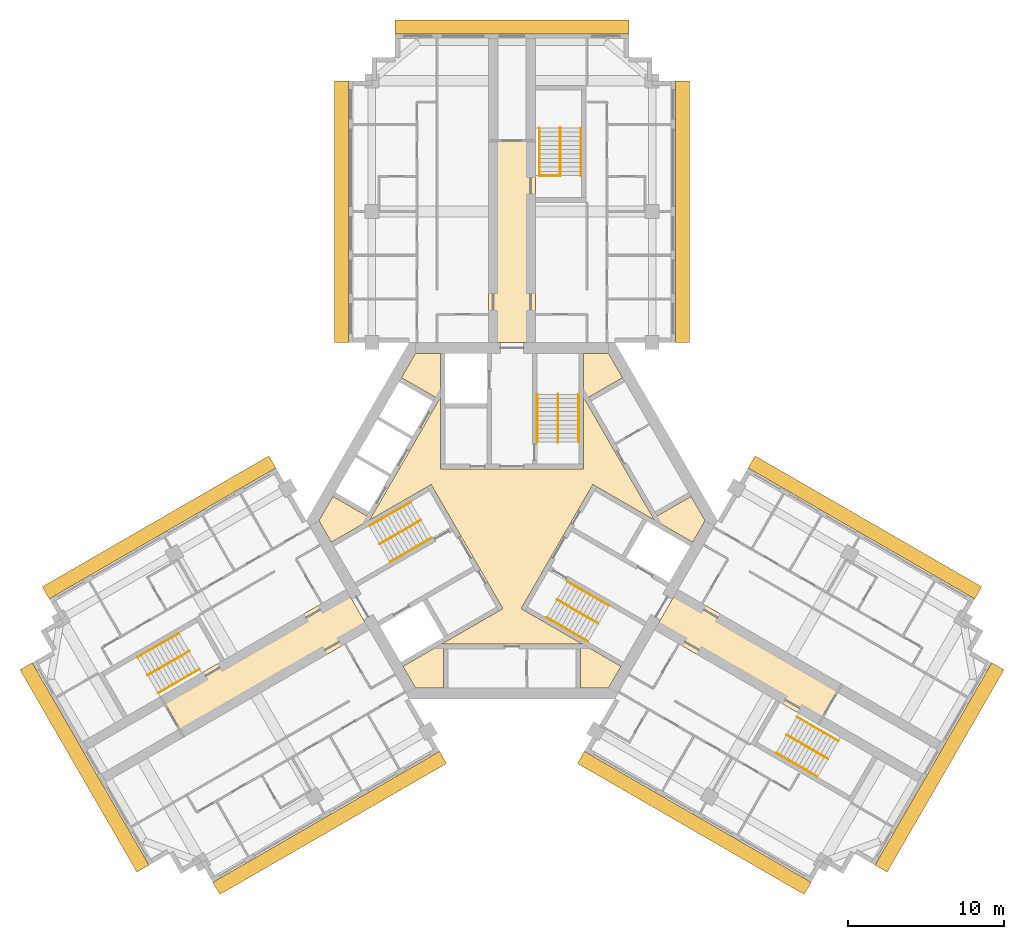
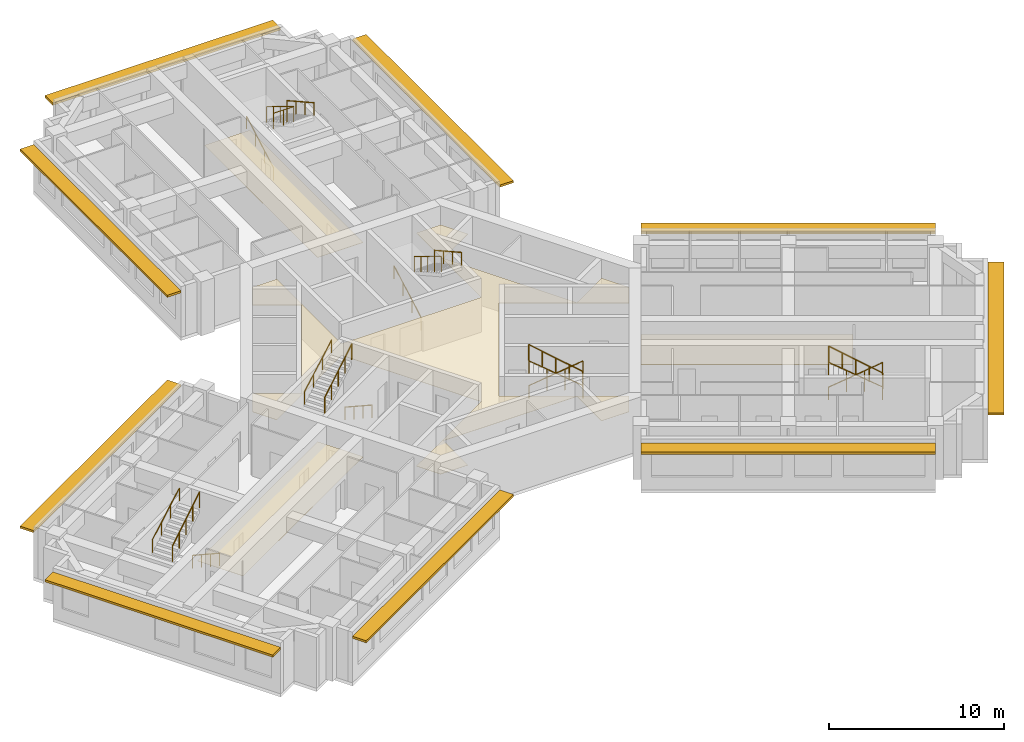
# One storey, part 10 of 10: 19 railings, 4 coverings, 3 shading devices.
"""IFC4 building model written with IfcOpenShell, lengths in metres."""

from ifc_helpers import new_model, si_unit, direction, frame, origin, origin_2d, place, context, subcontext, project, spatial, polyline, rectangle, circle, outline, extrude, material, layer, layer_set, type_object, element, save


model = new_model("IFC4")

# Units and contexts
model_context = context("Model", 3, precision=1e-05, world=origin(), true_north=direction((0.0, 1.0)))
body_context = subcontext(model_context, "Body", "Model", "MODEL_VIEW")
ifc_project = project(units=[si_unit("LENGTHUNIT", "METRE"), si_unit("AREAUNIT", "SQUARE_METRE"), si_unit("VOLUMEUNIT", "CUBIC_METRE"), si_unit("PLANEANGLEUNIT", "RADIAN"), si_unit("MASSUNIT", "GRAM", prefix="KILO")], contexts=[model_context])

# Site, building, storey
site_placement = place(None, origin())
site = spatial("IfcSite", under=ifc_project, at=site_placement, CompositionType="ELEMENT")
building_placement = place(site_placement, origin())
building = spatial("IfcBuilding", under=site, at=building_placement, Name="Impinga Residences", CompositionType="ELEMENT")
storey_placement = place(building_placement, frame((0.0, 0.0, 267.25)))
storey = spatial("IfcBuildingStorey", under=building, at=storey_placement, Name="L67", CompositionType="ELEMENT", Elevation=267.25)

# Coverings
ifc_material_1 = material(Name="Plasterboard 15 mm on steel hangers", Category="steel")
ifc_layer_1 = layer(ifc_material_1, 0.014892578125)
ifc_layer_set_1 = layer_set([ifc_layer_1], Name="Plasterboard 15 mm on steel hangers")
covering_type_1 = type_object("IfcCoveringType", Name="CL1 corridor ceiling, 15 mm plasterboard on hangers", PredefinedType="CEILING", material=ifc_layer_set_1)
covering_1_placement = place(storey_placement, frame((0.0, 0.0, 2.39990234375)))
element("IfcCovering", 1, at=covering_1_placement, inside=storey, type_object=covering_type_1, Name="Corridor ceiling CL1 L67-N00", PredefinedType="CEILING", context=body_context, shape_type="SweptSolid", body=[
    extrude(outline(polyline([(-1.5, 11.431640625), (1.5, 11.431640625), (1.5, 24.33154296875), (-1.5, 24.33154296875), (-1.5, 11.431640625)])), origin(), (0.0, 0.0, 1.0), 0.01513671875),
])
covering_2_placement = place(storey_placement, frame((0.0, 0.0, 2.39990234375)))
element("IfcCovering", 2, at=covering_2_placement, inside=storey, type_object=covering_type_1, Name="Corridor ceiling CL1 L67-W00", PredefinedType="CEILING", context=body_context, shape_type="SweptSolid", body=[
    extrude(outline(polyline([(-9.14990234375, -7.014892578125), (-10.64990234375, -4.416748046875), (-22.5146484375, -11.266845703125), (-21.0146484375, -13.86474609375), (-9.14990234375, -7.014892578125)])), origin(), (0.0, 0.0, 1.0), 0.01513671875),
])
covering_3_placement = place(storey_placement, frame((0.0, 0.0, 2.39990234375)))
element("IfcCovering", 3, at=covering_3_placement, inside=storey, type_object=covering_type_1, Name="Corridor ceiling CL1 L67-E00", PredefinedType="CEILING", context=body_context, shape_type="SweptSolid", body=[
    extrude(outline(polyline([(10.64990234375, -4.416748046875), (9.14990234375, -7.014892578125), (19.62890625, -13.064697265625), (21.12890625, -10.466796875), (10.64990234375, -4.416748046875)])), origin(), (0.0, 0.0, 1.0), 0.01513671875),
])
ifc_material_2 = material(Name="Mineral fibre tiles 20 mm on exposed grid", Category="mineral fibre")
ifc_layer_2 = layer(ifc_material_2, 0.02001953125)
ifc_layer_set_2 = layer_set([ifc_layer_2], Name="CL2 lift lobby ceiling, 20 mm mineral fibre tiles")
covering_type_2 = type_object("IfcCoveringType", Name="CL2 lift lobby ceiling, 20 mm mineral fibre tiles", PredefinedType="CEILING", material=ifc_layer_set_2)
covering_4_placement = place(storey_placement, frame((0.0, 0.0, 2.39990234375)))
element("IfcCovering", 4, at=covering_4_placement, inside=storey, type_object=covering_type_2, Name="Lift lobby ceiling CL2 L67-C01", PredefinedType="CEILING", context=body_context, shape_type="SweptSolid", body=[
    extrude(outline(polyline([(12.3916015625, 0.0), (11.59375, -1.382080078125), (5.183837890625, 2.318603515625), (0.583984375, -5.648681640625), (6.993896484375, -9.349365234375), (6.19580078125, -10.7314453125), (4.39990234375, -10.7314453125), (4.39990234375, -7.931640625), (-4.39990234375, -7.931640625), (-4.39990234375, -10.7314453125), (-6.19580078125, -10.7314453125), (-6.993896484375, -9.349365234375), (-0.583984375, -5.648681640625), (-5.183837890625, 2.318603515625), (-11.59375, -1.382080078125), (-12.3916015625, 0.0), (-11.493896484375, 1.55517578125), (-9.06884765625, 0.1552734375), (-4.6689453125, 7.7763671875), (-7.09375, 9.17626953125), (-6.19580078125, 10.7314453125), (-4.60009765625, 10.7314453125), (-4.60009765625, 3.330078125), (4.60009765625, 3.330078125), (4.60009765625, 10.7314453125), (6.19580078125, 10.7314453125), (7.09375, 9.17626953125), (4.6689453125, 7.7763671875), (9.06884765625, 0.1552734375), (11.493896484375, 1.55517578125), (12.3916015625, 0.0)])), origin(), (0.0, 0.0, 1.0), 0.02001953125),
])

# Railings
ifc_material_3 = material(Name="Steel guard, powder coated", Category="steel")
railing_type_1 = type_object("IfcRailingType", Name="GR1 stair guard 1100", PredefinedType="GUARDRAIL", material=ifc_material_3)
railing_1_placement = place(storey_placement, frame((2.949951171875, 8.110107421875, 1.875)))
element("IfcRailing", 5, at=railing_1_placement, inside=storey, type_object=railing_type_1, Name="Stair guard GR1 ST1 L67", PredefinedType="GUARDRAIL", context=body_context, shape_type="SweptSolid", body=[
    extrude(circle(Radius=0.02392578125, at=origin_2d()), frame((0.0, 0.0, 1.076171875), z_axis=(0.0, -0.854177636135, 0.519981313056), x_axis=(1.0, 0.0, 0.0)), (0.0, 0.0, 1.0), 3.60595703125),
    extrude(circle(Radius=0.02099609375, at=origin_2d()), origin(), (0.0, 0.0, 1.0), 1.052001953125),
    extrude(circle(Radius=0.02099609375, at=origin_2d()), frame((0.0, -0.77001953125, 0.46875)), (0.0, 0.0, 1.0), 1.052001953125),
    extrude(circle(Radius=0.02099609375, at=origin_2d()), frame((0.0, -1.5400390625, 0.9375)), (0.0, 0.0, 1.0), 1.052001953125),
    extrude(circle(Radius=0.02099609375, at=origin_2d()), frame((0.0, -2.31005859375, 1.40625)), (0.0, 0.0, 1.0), 1.052001953125),
    extrude(circle(Radius=0.02099609375, at=origin_2d()), frame((0.0, -3.080078125, 1.875)), (0.0, 0.0, 1.0), 1.052001953125),
])
railing_2_placement = place(storey_placement, frame((-8.49853515625, -1.500244140625, 1.875)))
element("IfcRailing", 6, at=railing_2_placement, inside=storey, type_object=railing_type_1, Name="Stair guard GR1 ST2 L67", PredefinedType="GUARDRAIL", context=body_context, shape_type="SweptSolid", body=[
    extrude(circle(Radius=0.02392578125, at=origin_2d()), frame((0.0, 0.0, 1.076171875), z_axis=(0.739746383972, 0.427084037168, 0.519975492303), x_axis=(-0.499992328818, 0.866029832698, 0.0)), (0.0, 0.0, 1.0), 3.60595703125),
    extrude(circle(Radius=0.02099609375, at=origin_2d()), origin(), (0.0, 0.0, 1.0), 1.052001953125),
    extrude(circle(Radius=0.02099609375, at=origin_2d()), frame((0.6669921875, 0.385009765625, 0.46875)), (0.0, 0.0, 1.0), 1.052001953125),
    extrude(circle(Radius=0.02099609375, at=origin_2d()), frame((1.333740234375, 0.77001953125, 0.9375)), (0.0, 0.0, 1.0), 1.052001953125),
    extrude(circle(Radius=0.02099609375, at=origin_2d()), frame((2.00048828125, 1.155029296875, 1.40625)), (0.0, 0.0, 1.0), 1.052001953125),
    extrude(circle(Radius=0.02099609375, at=origin_2d()), frame((2.66748046875, 1.5400390625, 1.875)), (0.0, 0.0, 1.0), 1.052001953125),
])
railing_3_placement = place(storey_placement, frame((5.548583984375, -6.60986328125, 1.875)))
element("IfcRailing", 7, at=railing_3_placement, inside=storey, type_object=railing_type_1, Name="Stair guard GR1 ST3 L67", PredefinedType="GUARDRAIL", context=body_context, shape_type="SweptSolid", body=[
    extrude(circle(Radius=0.02392578125, at=origin_2d()), frame((0.0, 0.0, 1.076171875), z_axis=(-0.739746383972, 0.427084037168, 0.519975492303), x_axis=(-0.499992328818, -0.866029832698, 0.0)), (0.0, 0.0, 1.0), 3.60595703125),
    extrude(circle(Radius=0.02099609375, at=origin_2d()), origin(), (0.0, 0.0, 1.0), 1.052001953125),
    extrude(circle(Radius=0.02099609375, at=origin_2d()), frame((-0.6669921875, 0.385009765625, 0.46875)), (0.0, 0.0, 1.0), 1.052001953125),
    extrude(circle(Radius=0.02099609375, at=origin_2d()), frame((-1.333740234375, 0.77001953125, 0.9375)), (0.0, 0.0, 1.0), 1.052001953125),
    extrude(circle(Radius=0.02099609375, at=origin_2d()), frame((-2.00048828125, 1.155029296875, 1.40625)), (0.0, 0.0, 1.0), 1.052001953125),
    extrude(circle(Radius=0.02099609375, at=origin_2d()), frame((-2.66748046875, 1.5400390625, 1.875)), (0.0, 0.0, 1.0), 1.052001953125),
])
railing_4_placement = place(storey_placement, frame((3.10009765625, 25.21142578125, 1.875)))
element("IfcRailing", 8, at=railing_4_placement, inside=storey, type_object=railing_type_1, Name="Stair guard GR1 WS1 L67", PredefinedType="GUARDRAIL", context=body_context, shape_type="SweptSolid", body=[
    extrude(circle(Radius=0.02392578125, at=origin_2d()), frame((0.0, 0.0, 1.076171875), z_axis=(0.0, -0.854159328187, 0.520011386482), x_axis=(1.0, 0.0, 0.0)), (0.0, 0.0, 1.0), 3.605712890625),
    extrude(circle(Radius=0.02099609375, at=origin_2d()), origin(), (0.0, 0.0, 1.0), 1.052001953125),
    extrude(circle(Radius=0.02099609375, at=origin_2d()), frame((0.0, -0.77001953125, 0.46875)), (0.0, 0.0, 1.0), 1.052001953125),
    extrude(circle(Radius=0.02099609375, at=origin_2d()), frame((0.0, -1.5400390625, 0.9375)), (0.0, 0.0, 1.0), 1.052001953125),
    extrude(circle(Radius=0.02099609375, at=origin_2d()), frame((0.0, -2.309814453125, 1.40625)), (0.0, 0.0, 1.0), 1.052001953125),
    extrude(circle(Radius=0.02099609375, at=origin_2d()), frame((0.0, -3.079833984375, 1.875)), (0.0, 0.0, 1.0), 1.052001953125),
])
railing_5_placement = place(storey_placement, frame((1.75, 22.131591796875, 3.75)))
element("IfcRailing", 9, at=railing_5_placement, inside=storey, type_object=railing_type_1, Name="Stair guard GR1 WS1 top landing L67", PredefinedType="GUARDRAIL", context=body_context, shape_type="SweptSolid", body=[
    extrude(circle(Radius=0.02392578125, at=origin_2d()), frame((0.0, 0.0, 1.076171875), z_axis=(1.0, 0.0, 0.0), x_axis=(0.0, 1.0, 0.0)), (0.0, 0.0, 1.0), 1.35009765625),
    extrude(circle(Radius=0.02099609375, at=origin_2d()), origin(), (0.0, 0.0, 1.0), 1.052001953125),
    extrude(circle(Radius=0.02099609375, at=origin_2d()), frame((0.675048828125, 0.0, 0.0)), (0.0, 0.0, 1.0), 1.052001953125),
    extrude(circle(Radius=0.02099609375, at=origin_2d()), frame((1.35009765625, 0.0, 0.0)), (0.0, 0.0, 1.0), 1.052001953125),
])
railing_6_placement = place(storey_placement, frame((-23.3837890625, -9.921142578125, 1.875)))
element("IfcRailing", 10, at=railing_6_placement, inside=storey, type_object=railing_type_1, Name="Stair guard GR1 WS2 L67", PredefinedType="GUARDRAIL", context=body_context, shape_type="SweptSolid", body=[
    extrude(circle(Radius=0.02392578125, at=origin_2d()), frame((0.0, 0.0, 1.076171875), z_axis=(0.739715726454, 0.427105428144, 0.52000153585), x_axis=(-0.500026652407, 0.866010015463, 0.0)), (0.0, 0.0, 1.0), 3.605712890625),
    extrude(circle(Radius=0.02099609375, at=origin_2d()), origin(), (0.0, 0.0, 1.0), 1.052001953125),
    extrude(circle(Radius=0.02099609375, at=origin_2d()), frame((0.666748046875, 0.385009765625, 0.46875)), (0.0, 0.0, 1.0), 1.052001953125),
    extrude(circle(Radius=0.02099609375, at=origin_2d()), frame((1.33349609375, 0.77001953125, 0.9375)), (0.0, 0.0, 1.0), 1.052001953125),
    extrude(circle(Radius=0.02099609375, at=origin_2d()), frame((2.00048828125, 1.155029296875, 1.40625)), (0.0, 0.0, 1.0), 1.052001953125),
    extrude(circle(Radius=0.02099609375, at=origin_2d()), frame((2.667236328125, 1.5400390625, 1.875)), (0.0, 0.0, 1.0), 1.052001953125),
])
railing_7_placement = place(storey_placement, frame((20.283935546875, -15.29052734375, 1.875)))
element("IfcRailing", 11, at=railing_7_placement, inside=storey, type_object=railing_type_1, Name="Stair guard GR1 WS3 L67", PredefinedType="GUARDRAIL", context=body_context, shape_type="SweptSolid", body=[
    extrude(circle(Radius=0.02392578125, at=origin_2d()), frame((0.0, 0.0, 1.076171875), z_axis=(-0.739746383972, 0.427084037168, 0.519975492303), x_axis=(-0.499992328818, -0.866029832698, 0.0)), (0.0, 0.0, 1.0), 3.60595703125),
    extrude(circle(Radius=0.02099609375, at=origin_2d()), origin(), (0.0, 0.0, 1.0), 1.052001953125),
    extrude(circle(Radius=0.02099609375, at=origin_2d()), frame((-0.6669921875, 0.385009765625, 0.46875)), (0.0, 0.0, 1.0), 1.052001953125),
    extrude(circle(Radius=0.02099609375, at=origin_2d()), frame((-1.333740234375, 0.77001953125, 0.9375)), (0.0, 0.0, 1.0), 1.052001953125),
    extrude(circle(Radius=0.02099609375, at=origin_2d()), frame((-2.00048828125, 1.155029296875, 1.40625)), (0.0, 0.0, 1.0), 1.052001953125),
    extrude(circle(Radius=0.02099609375, at=origin_2d()), frame((-2.66748046875, 1.5400390625, 1.875)), (0.0, 0.0, 1.0), 1.052001953125),
])
ifc_material_4 = material(Name="Steel handrail tube 42 mm, powder coated", Category="steel")
railing_type_2 = type_object("IfcRailingType", Name="HR1 stair handrail, 42 mm steel tube, 900 above the pitch line", PredefinedType="HANDRAIL", material=ifc_material_4)
railing_8_placement = place(storey_placement, frame((1.62109375, 5.030029296875, 0.15625)))
element("IfcRailing", 12, at=railing_8_placement, inside=storey, type_object=railing_type_2, Name="Stair handrail HR1 ST1 L67", PredefinedType="HANDRAIL", context=body_context, shape_type="SweptSolid", body=[
    extrude(circle(Radius=0.02099609375, at=origin_2d()), frame((0.0, 0.0, 0.87890625), z_axis=(0.0, 0.873241540666, 0.487287606713), x_axis=(-1.0, 0.0, 0.0)), (0.0, 0.0, 1.0), 3.527099609375),
    extrude(circle(Radius=0.012451171875, at=origin_2d()), origin(), (0.0, 0.0, 1.0), 0.85791015625),
    extrude(circle(Radius=0.012451171875, at=origin_2d()), frame((0.0, 1.026611328125, 0.572998046875)), (0.0, 0.0, 1.0), 0.85791015625),
    extrude(circle(Radius=0.012451171875, at=origin_2d()), frame((0.0, 2.053466796875, 1.145751953125)), (0.0, 0.0, 1.0), 0.85791015625),
    extrude(circle(Radius=0.012451171875, at=origin_2d()), frame((0.0, 3.080078125, 1.71875)), (0.0, 0.0, 1.0), 0.85791015625),
])
railing_9_placement = place(storey_placement, frame((4.279052734375, 8.110107421875, 2.03125)))
element("IfcRailing", 13, at=railing_9_placement, inside=storey, type_object=railing_type_2, Name="Stair handrail HR1 ST1 L67", PredefinedType="HANDRAIL", context=body_context, shape_type="SweptSolid", body=[
    extrude(circle(Radius=0.02099609375, at=origin_2d()), frame((0.0, 0.0, 0.87890625), z_axis=(0.0, -0.873241540666, 0.487287606713), x_axis=(1.0, 0.0, 0.0)), (0.0, 0.0, 1.0), 3.527099609375),
    extrude(circle(Radius=0.012451171875, at=origin_2d()), origin(), (0.0, 0.0, 1.0), 0.85791015625),
    extrude(circle(Radius=0.012451171875, at=origin_2d()), frame((0.0, -1.026611328125, 0.572998046875)), (0.0, 0.0, 1.0), 0.85791015625),
    extrude(circle(Radius=0.012451171875, at=origin_2d()), frame((0.0, -2.053466796875, 1.145751953125)), (0.0, 0.0, 1.0), 0.85791015625),
    extrude(circle(Radius=0.012451171875, at=origin_2d()), frame((0.0, -3.080078125, 1.71875)), (0.0, 0.0, 1.0), 0.85791015625),
])
railing_10_placement = place(storey_placement, frame((-5.16650390625, -1.111083984375, 0.15625)))
element("IfcRailing", 14, at=railing_10_placement, inside=storey, type_object=railing_type_2, Name="Stair handrail HR1 ST2 L67", PredefinedType="HANDRAIL", context=body_context, shape_type="SweptSolid", body=[
    extrude(circle(Radius=0.02099609375, at=origin_2d()), frame((0.0, 0.0, 0.87890625), z_axis=(-0.756255980417, -0.436615662133, 0.487281905742), x_axis=(0.499992328818, -0.866029832698, 0.0)), (0.0, 0.0, 1.0), 3.527099609375),
    extrude(circle(Radius=0.012451171875, at=origin_2d()), origin(), (0.0, 0.0, 1.0), 0.85791015625),
    extrude(circle(Radius=0.012451171875, at=origin_2d()), frame((-0.88916015625, -0.513427734375, 0.572998046875)), (0.0, 0.0, 1.0), 0.85791015625),
    extrude(circle(Radius=0.012451171875, at=origin_2d()), frame((-1.7783203125, -1.026611328125, 1.145751953125)), (0.0, 0.0, 1.0), 0.85791015625),
    extrude(circle(Radius=0.012451171875, at=origin_2d()), frame((-2.66748046875, -1.5400390625, 1.71875)), (0.0, 0.0, 1.0), 0.85791015625),
])
railing_11_placement = place(storey_placement, frame((-9.1630859375, -0.349365234375, 2.03125)))
element("IfcRailing", 15, at=railing_11_placement, inside=storey, type_object=railing_type_2, Name="Stair handrail HR1 ST2 L67", PredefinedType="HANDRAIL", context=body_context, shape_type="SweptSolid", body=[
    extrude(circle(Radius=0.02099609375, at=origin_2d()), frame((0.0, 0.0, 0.87890625), z_axis=(0.756255980417, 0.436615662133, 0.487281905742), x_axis=(-0.499992328818, 0.866029832698, 0.0)), (0.0, 0.0, 1.0), 3.527099609375),
    extrude(circle(Radius=0.012451171875, at=origin_2d()), origin(), (0.0, 0.0, 1.0), 0.85791015625),
    extrude(circle(Radius=0.012451171875, at=origin_2d()), frame((0.88916015625, 0.513427734375, 0.572998046875)), (0.0, 0.0, 1.0), 0.85791015625),
    extrude(circle(Radius=0.012451171875, at=origin_2d()), frame((1.7783203125, 1.026611328125, 1.145751953125)), (0.0, 0.0, 1.0), 0.85791015625),
    extrude(circle(Radius=0.012451171875, at=origin_2d()), frame((2.66748046875, 1.5400390625, 1.71875)), (0.0, 0.0, 1.0), 0.85791015625),
])
railing_12_placement = place(storey_placement, frame((3.545654296875, -3.9189453125, 0.15625)))
element("IfcRailing", 16, at=railing_12_placement, inside=storey, type_object=railing_type_2, Name="Stair handrail HR1 ST3 L67", PredefinedType="HANDRAIL", context=body_context, shape_type="SweptSolid", body=[
    extrude(circle(Radius=0.02099609375, at=origin_2d()), frame((0.0, 0.0, 0.87890625), z_axis=(0.756249203677, -0.436582492228, 0.487322141317), x_axis=(0.499967199496, 0.866044340336, 0.0)), (0.0, 0.0, 1.0), 3.52685546875),
    extrude(circle(Radius=0.012451171875, at=origin_2d()), origin(), (0.0, 0.0, 1.0), 0.85791015625),
    extrude(circle(Radius=0.012451171875, at=origin_2d()), frame((0.88916015625, -0.51318359375, 0.572998046875)), (0.0, 0.0, 1.0), 0.85791015625),
    extrude(circle(Radius=0.012451171875, at=origin_2d()), frame((1.778076171875, -1.026611328125, 1.145751953125)), (0.0, 0.0, 1.0), 0.85791015625),
    extrude(circle(Radius=0.012451171875, at=origin_2d()), frame((2.667236328125, -1.539794921875, 1.71875)), (0.0, 0.0, 1.0), 0.85791015625),
])
railing_13_placement = place(storey_placement, frame((4.884033203125, -7.7607421875, 2.03125)))
element("IfcRailing", 17, at=railing_13_placement, inside=storey, type_object=railing_type_2, Name="Stair handrail HR1 ST3 L67", PredefinedType="HANDRAIL", context=body_context, shape_type="SweptSolid", body=[
    extrude(circle(Radius=0.02099609375, at=origin_2d()), frame((0.0, 0.0, 0.87890625), z_axis=(-0.756255980417, 0.436615662133, 0.487281905742), x_axis=(-0.499992328818, -0.866029832698, 0.0)), (0.0, 0.0, 1.0), 3.527099609375),
    extrude(circle(Radius=0.012451171875, at=origin_2d()), origin(), (0.0, 0.0, 1.0), 0.85791015625),
    extrude(circle(Radius=0.012451171875, at=origin_2d()), frame((-0.88916015625, 0.513427734375, 0.572998046875)), (0.0, 0.0, 1.0), 0.85791015625),
    extrude(circle(Radius=0.012451171875, at=origin_2d()), frame((-1.7783203125, 1.026611328125, 1.145751953125)), (0.0, 0.0, 1.0), 0.85791015625),
    extrude(circle(Radius=0.012451171875, at=origin_2d()), frame((-2.66748046875, 1.5400390625, 1.71875)), (0.0, 0.0, 1.0), 0.85791015625),
])
railing_14_placement = place(storey_placement, frame((1.77099609375, 22.131591796875, 0.15625)))
element("IfcRailing", 18, at=railing_14_placement, inside=storey, type_object=railing_type_2, Name="Stair handrail HR1 WS1 L67", PredefinedType="HANDRAIL", context=body_context, shape_type="SweptSolid", body=[
    extrude(circle(Radius=0.02099609375, at=origin_2d()), frame((0.0, 0.0, 0.87890625), z_axis=(0.0, 0.873225103656, 0.487317061414), x_axis=(-1.0, 0.0, 0.0)), (0.0, 0.0, 1.0), 3.52685546875),
    extrude(circle(Radius=0.012451171875, at=origin_2d()), origin(), (0.0, 0.0, 1.0), 0.85791015625),
    extrude(circle(Radius=0.012451171875, at=origin_2d()), frame((0.0, 1.026611328125, 0.572998046875)), (0.0, 0.0, 1.0), 0.85791015625),
    extrude(circle(Radius=0.012451171875, at=origin_2d()), frame((0.0, 2.05322265625, 1.145751953125)), (0.0, 0.0, 1.0), 0.85791015625),
    extrude(circle(Radius=0.012451171875, at=origin_2d()), frame((0.0, 3.079833984375, 1.71875)), (0.0, 0.0, 1.0), 0.85791015625),
])
railing_15_placement = place(storey_placement, frame((4.428955078125, 25.21142578125, 2.03125)))
element("IfcRailing", 19, at=railing_15_placement, inside=storey, type_object=railing_type_2, Name="Stair handrail HR1 WS1 L67", PredefinedType="HANDRAIL", context=body_context, shape_type="SweptSolid", body=[
    extrude(circle(Radius=0.02099609375, at=origin_2d()), frame((0.0, 0.0, 0.87890625), z_axis=(0.0, -0.873225103656, 0.487317061414), x_axis=(1.0, 0.0, 0.0)), (0.0, 0.0, 1.0), 3.52685546875),
    extrude(circle(Radius=0.012451171875, at=origin_2d()), origin(), (0.0, 0.0, 1.0), 0.85791015625),
    extrude(circle(Radius=0.012451171875, at=origin_2d()), frame((0.0, -1.026611328125, 0.572998046875)), (0.0, 0.0, 1.0), 0.85791015625),
    extrude(circle(Radius=0.012451171875, at=origin_2d()), frame((0.0, -2.05322265625, 1.145751953125)), (0.0, 0.0, 1.0), 0.85791015625),
    extrude(circle(Radius=0.012451171875, at=origin_2d()), frame((0.0, -3.079833984375, 1.71875)), (0.0, 0.0, 1.0), 0.85791015625),
])
railing_16_placement = place(storey_placement, frame((-20.052001953125, -9.531982421875, 0.15625)))
element("IfcRailing", 20, at=railing_16_placement, inside=storey, type_object=railing_type_2, Name="Stair handrail HR1 WS2 L67", PredefinedType="HANDRAIL", context=body_context, shape_type="SweptSolid", body=[
    extrude(circle(Radius=0.02099609375, at=origin_2d()), frame((0.0, 0.0, 0.87890625), z_axis=(-0.756226348243, -0.436638517594, 0.487307413422), x_axis=(0.500026652407, -0.866010015463, 0.0)), (0.0, 0.0, 1.0), 3.527099609375),
    extrude(circle(Radius=0.012451171875, at=origin_2d()), origin(), (0.0, 0.0, 1.0), 0.85791015625),
    extrude(circle(Radius=0.012451171875, at=origin_2d()), frame((-0.88916015625, -0.513427734375, 0.572998046875)), (0.0, 0.0, 1.0), 0.85791015625),
    extrude(circle(Radius=0.012451171875, at=origin_2d()), frame((-1.778076171875, -1.026611328125, 1.145751953125)), (0.0, 0.0, 1.0), 0.85791015625),
    extrude(circle(Radius=0.012451171875, at=origin_2d()), frame((-2.667236328125, -1.5400390625, 1.71875)), (0.0, 0.0, 1.0), 0.85791015625),
])
railing_17_placement = place(storey_placement, frame((-24.04833984375, -8.77001953125, 2.03125)))
element("IfcRailing", 21, at=railing_17_placement, inside=storey, type_object=railing_type_2, Name="Stair handrail HR1 WS2 L67", PredefinedType="HANDRAIL", context=body_context, shape_type="SweptSolid", body=[
    extrude(circle(Radius=0.02099609375, at=origin_2d()), frame((0.0, 0.0, 0.87890625), z_axis=(0.756278834354, 0.436559638319, 0.487296631324), x_axis=(-0.499932877268, 0.866064153644, 0.0)), (0.0, 0.0, 1.0), 3.527099609375),
    extrude(circle(Radius=0.012451171875, at=origin_2d()), origin(), (0.0, 0.0, 1.0), 0.85791015625),
    extrude(circle(Radius=0.012451171875, at=origin_2d()), frame((0.88916015625, 0.51318359375, 0.572998046875)), (0.0, 0.0, 1.0), 0.85791015625),
    extrude(circle(Radius=0.012451171875, at=origin_2d()), frame((1.7783203125, 1.026611328125, 1.145751953125)), (0.0, 0.0, 1.0), 0.85791015625),
    extrude(circle(Radius=0.012451171875, at=origin_2d()), frame((2.66748046875, 1.539794921875, 1.71875)), (0.0, 0.0, 1.0), 0.85791015625),
])
railing_18_placement = place(storey_placement, frame((18.281005859375, -12.599609375, 0.15625)))
element("IfcRailing", 22, at=railing_18_placement, inside=storey, type_object=railing_type_2, Name="Stair handrail HR1 WS3 L67", PredefinedType="HANDRAIL", context=body_context, shape_type="SweptSolid", body=[
    extrude(circle(Radius=0.02099609375, at=origin_2d()), frame((0.0, 0.0, 0.87890625), z_axis=(0.756249203677, -0.436582492228, 0.487322141317), x_axis=(0.499967199496, 0.866044340336, 0.0)), (0.0, 0.0, 1.0), 3.52685546875),
    extrude(circle(Radius=0.012451171875, at=origin_2d()), origin(), (0.0, 0.0, 1.0), 0.85791015625),
    extrude(circle(Radius=0.012451171875, at=origin_2d()), frame((0.88916015625, -0.51318359375, 0.572998046875)), (0.0, 0.0, 1.0), 0.85791015625),
    extrude(circle(Radius=0.012451171875, at=origin_2d()), frame((1.778076171875, -1.026611328125, 1.145751953125)), (0.0, 0.0, 1.0), 0.85791015625),
    extrude(circle(Radius=0.012451171875, at=origin_2d()), frame((2.667236328125, -1.539794921875, 1.71875)), (0.0, 0.0, 1.0), 0.85791015625),
])
railing_19_placement = place(storey_placement, frame((19.619384765625, -16.44140625, 2.03125)))
element("IfcRailing", 23, at=railing_19_placement, inside=storey, type_object=railing_type_2, Name="Stair handrail HR1 WS3 L67", PredefinedType="HANDRAIL", context=body_context, shape_type="SweptSolid", body=[
    extrude(circle(Radius=0.02099609375, at=origin_2d()), frame((0.0, 0.0, 0.87890625), z_axis=(-0.756255980417, 0.436615662133, 0.487281905742), x_axis=(-0.499992328818, -0.866029832698, 0.0)), (0.0, 0.0, 1.0), 3.527099609375),
    extrude(circle(Radius=0.012451171875, at=origin_2d()), origin(), (0.0, 0.0, 1.0), 0.85791015625),
    extrude(circle(Radius=0.012451171875, at=origin_2d()), frame((-0.88916015625, 0.513427734375, 0.572998046875)), (0.0, 0.0, 1.0), 0.85791015625),
    extrude(circle(Radius=0.012451171875, at=origin_2d()), frame((-1.7783203125, 1.026611328125, 1.145751953125)), (0.0, 0.0, 1.0), 0.85791015625),
    extrude(circle(Radius=0.012451171875, at=origin_2d()), frame((-2.66748046875, 1.5400390625, 1.71875)), (0.0, 0.0, 1.0), 0.85791015625),
])

# Shading devices
ifc_material_5 = material(Name="Terracotta sunshade blades on aluminium brackets", Category="masonry")
ifc_layer_3 = layer(ifc_material_5, 0.14990234375)
ifc_layer_set_3 = layer_set([ifc_layer_3], Name="SS1 SUNSHADE terracotta sunshade band 900")
shading_device_type = type_object("IfcShadingDeviceType", Name="SS1 SUNSHADE terracotta sunshade band 900", PredefinedType="USERDEFINED", material=ifc_layer_set_3)
shading_device_1_placement = place(storey_placement, frame((-10.949951171875, 19.83154296875, 3.10009765625), z_axis=(0.0, 0.0, 1.0), x_axis=(0.0, 1.0, 0.0)))
element("IfcShadingDevice", 24, at=shading_device_1_placement, inside=storey, type_object=shading_device_type, Name="SUNSHADE band L67 NORTH WING", ObjectType="SUNSHADE", PredefinedType="USERDEFINED", context=body_context, shape_type="SweptSolid", body=[
    extrude(rectangle(XDim=16.800048828125, YDim=0.89990234375, at=origin_2d()), origin(), (0.0, 0.0, 1.0), 0.14990234375),
    extrude(rectangle(XDim=15.0, YDim=0.89990234375, at=origin_2d()), frame((11.85009765625, -10.949951171875, 0.0), z_axis=(0.0, 0.0, 1.0), x_axis=(0.0, -1.0, 0.0)), (0.0, 0.0, 1.0), 0.14990234375),
    extrude(rectangle(XDim=16.800048828125, YDim=0.89990234375, at=origin_2d()), frame((0.0, -21.89990234375, 0.0), z_axis=(0.0, 0.0, 1.0), x_axis=(-1.0, 0.0, 0.0)), (0.0, 0.0, 1.0), 0.14990234375),
])
shading_device_2_placement = place(storey_placement, frame((-27.43701171875, -15.8408203125, 3.10009765625), z_axis=(0.0, 0.0, 1.0), x_axis=(-0.5, 0.866025403784, 0.0)))
element("IfcShadingDevice", 25, at=shading_device_2_placement, inside=storey, type_object=shading_device_type, Name="SUNSHADE band L67 WEST WING", ObjectType="SUNSHADE", PredefinedType="USERDEFINED", context=body_context, shape_type="SweptSolid", body=[
    extrude(rectangle(XDim=15.0, YDim=0.89990234375, at=origin_2d()), origin(), (0.0, 0.0, 1.0), 0.14990234375),
    extrude(rectangle(XDim=16.800048828125, YDim=0.89990234375, at=origin_2d()), frame((10.949951171875, -11.849853515625, 0.0), z_axis=(0.0, 0.0, 1.0), x_axis=(0.0, -1.0, 0.0)), (0.0, 0.0, 1.0), 0.14990234375),
    extrude(rectangle(XDim=16.800048828125, YDim=0.89990234375, at=origin_2d()), frame((-10.949951171875, -11.849853515625, 0.0), z_axis=(0.0, 0.0, 1.0), x_axis=(0.0, 1.0, 0.0)), (0.0, 0.0, 1.0), 0.14990234375),
])
shading_device_3_placement = place(storey_placement, frame((22.649658203125, -0.432861328125, 3.10009765625), z_axis=(0.0, 0.0, 1.0), x_axis=(0.866025403784, -0.5, 0.0)))
element("IfcShadingDevice", 26, at=shading_device_3_placement, inside=storey, type_object=shading_device_type, Name="SUNSHADE band L67 EAST WING", ObjectType="SUNSHADE", PredefinedType="USERDEFINED", context=body_context, shape_type="SweptSolid", body=[
    extrude(rectangle(XDim=16.800048828125, YDim=0.89990234375, at=origin_2d()), origin(), (0.0, 0.0, 1.0), 0.14990234375),
    extrude(rectangle(XDim=15.0, YDim=0.89990234375, at=origin_2d()), frame((11.849853515625, -10.949951171875, 0.0), z_axis=(0.0, 0.0, 1.0), x_axis=(0.0, -1.0, 0.0)), (0.0, 0.0, 1.0), 0.14990234375),
    extrude(rectangle(XDim=16.800048828125, YDim=0.89990234375, at=origin_2d()), frame((0.0, -21.89990234375, 0.0), z_axis=(0.0, 0.0, 1.0), x_axis=(-1.0, 0.0, 0.0)), (0.0, 0.0, 1.0), 0.14990234375),
])

save(model, "model.ifc")
